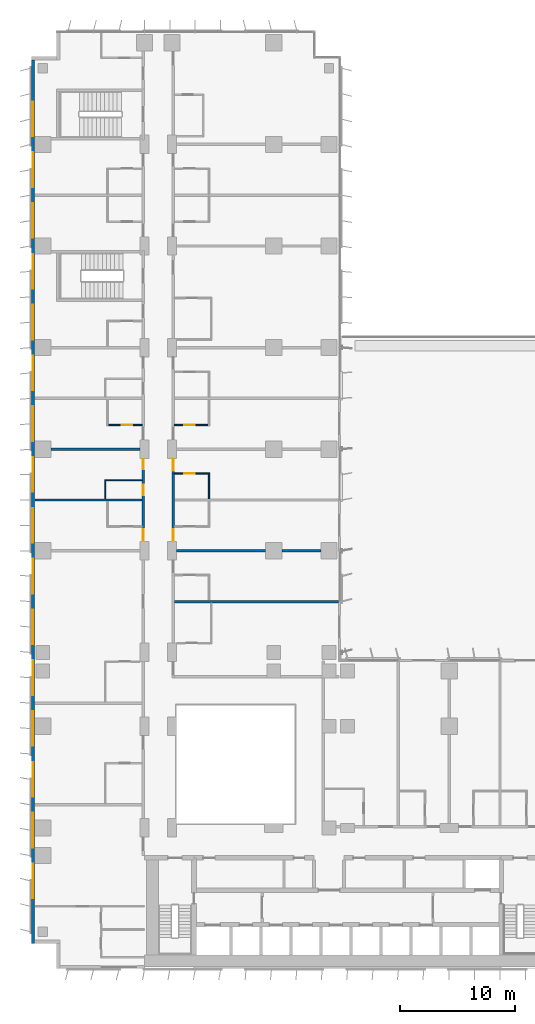
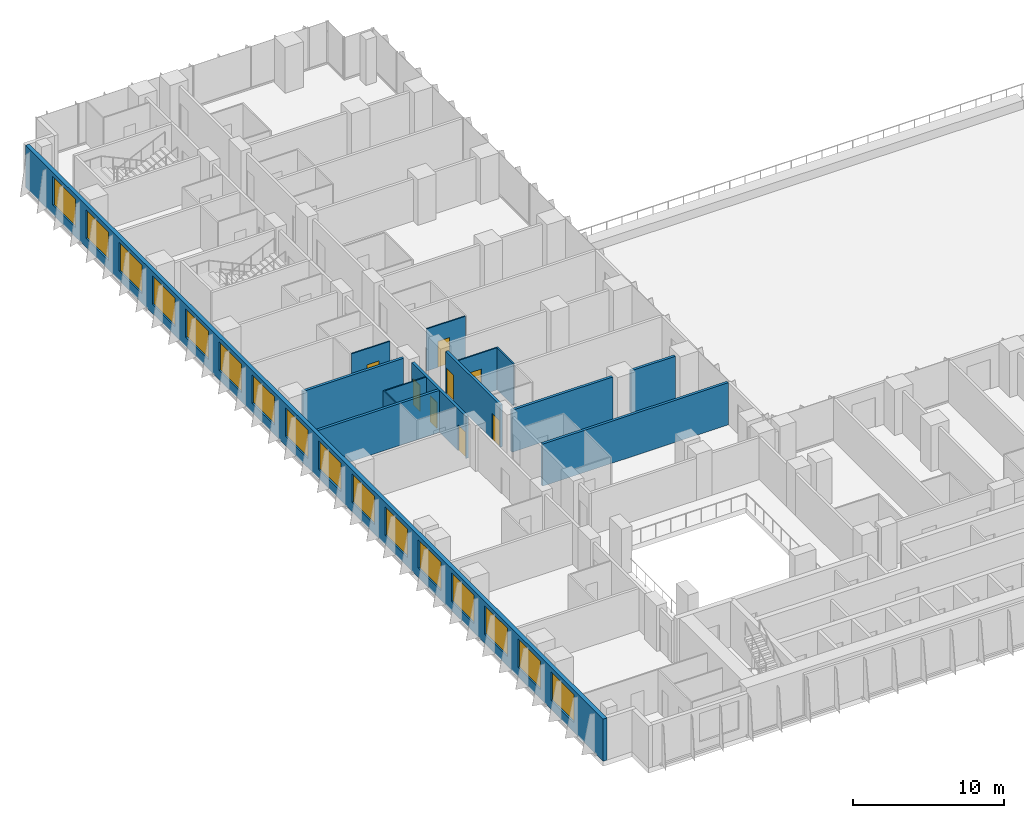
# One storey, part 14 of 23: 16 windows, 14 walls, 8 doors, 24 openings.
"""IFC4 building model written with IfcOpenShell, lengths in metres."""

from ifc_helpers import new_model, si_unit, direction, frame, frame_2d, origin, place, context, subcontext, project, spatial, rectangle, extrude, material, layer, layer_set, type_object, element, fill, save


model = new_model("IFC4")

# Units and contexts
model_context = context("Model", 3, precision=1e-05, world=origin(), true_north=direction((0.0, 1.0)))
body_context = subcontext(model_context, "Body", "Model", "MODEL_VIEW")
ifc_project = project(units=[si_unit("LENGTHUNIT", "METRE"), si_unit("AREAUNIT", "SQUARE_METRE"), si_unit("VOLUMEUNIT", "CUBIC_METRE"), si_unit("PLANEANGLEUNIT", "RADIAN"), si_unit("MASSUNIT", "GRAM", prefix="KILO")], contexts=[model_context])

# Site, building, storey
site_placement = place(None, origin())
site = spatial("IfcSite", under=ifc_project, at=site_placement, CompositionType="ELEMENT")
building_placement = place(site_placement, origin())
building = spatial("IfcBuilding", under=site, at=building_placement, Name="Kemantara Hotel Tower", CompositionType="ELEMENT")
storey_placement = place(building_placement, frame((0.0, 0.0, 34.0)))
storey = spatial("IfcBuildingStorey", under=building, at=storey_placement, Name="L06", CompositionType="ELEMENT", Elevation=34.0)

# Wall, openings, windows
ifc_material_1 = material(Name="Bronze anodised aluminium cladding on insulated steel stud wall", Category="steel")
ifc_layer_1 = layer(ifc_material_1, 0.300048828125)
ifc_layer_set_1 = layer_set([ifc_layer_1], Name="Bronze anodised aluminium cladding on insulated steel stud wall")
wall_type_1 = type_object("IfcWallType", Name="BRONZE METAL-CLAD EXTERNAL WALL 300", PredefinedType="STANDARD", material=ifc_layer_set_1)
wall_1_placement = place(storey_placement, frame((0.14990234375, 78.699951171875, 0.0), z_axis=(0.0, 0.0, 1.0), x_axis=(0.0, -1.0, 0.0)))
wall_1 = element("IfcWall", 1, at=wall_1_placement, inside=storey, type_object=wall_type_1, Name="EXTERNAL WALL L06 T1-R14", PredefinedType="STANDARD", context=body_context, shape_type="SweptSolid", body=[
    extrude(rectangle(XDim=76.5, YDim=0.300048828125, at=frame_2d((38.25, 0.0))), origin(), (0.0, 0.0, 1.0), 3.39990234375),
])
opening_1_placement = place(wall_1_placement, frame((3.60009765625, 0.0, 0.75)))
opening_1 = element("IfcOpeningElement", 2, at=opening_1_placement, cuts=wall_1, Name="Opening W1", PredefinedType="OPENING", context=body_context, shape_type="SweptSolid", body=[
    extrude(rectangle(XDim=3.0, YDim=2.300048828125, at=frame_2d((1.5, 1.14990234375))), frame((0.0, 0.159912109375, 0.0), z_axis=(0.0, -1.0, 0.0), x_axis=(1.0, 0.0, 0.0)), (0.0, 0.0, 1.0), 0.320068359375),
])
opening_2_placement = place(wall_1_placement, frame((8.0, 0.0, 0.75)))
opening_2 = element("IfcOpeningElement", 3, at=opening_2_placement, cuts=wall_1, Name="Opening W1", PredefinedType="OPENING", context=body_context, shape_type="SweptSolid", body=[
    extrude(rectangle(XDim=3.0, YDim=2.300048828125, at=frame_2d((1.5, 1.14990234375))), frame((0.0, 0.159912109375, 0.0), z_axis=(0.0, -1.0, 0.0), x_axis=(1.0, 0.0, 0.0)), (0.0, 0.0, 1.0), 0.320068359375),
])
opening_3_placement = place(wall_1_placement, frame((12.39990234375, 0.0, 0.75)))
opening_3 = element("IfcOpeningElement", 4, at=opening_3_placement, cuts=wall_1, Name="Opening W1", PredefinedType="OPENING", context=body_context, shape_type="SweptSolid", body=[
    extrude(rectangle(XDim=3.0, YDim=2.300048828125, at=frame_2d((1.5, 1.14990234375))), frame((0.0, 0.159912109375, 0.0), z_axis=(0.0, -1.0, 0.0), x_axis=(1.0, 0.0, 0.0)), (0.0, 0.0, 1.0), 0.320068359375),
])
opening_4_placement = place(wall_1_placement, frame((16.800048828125, 0.0, 0.75)))
opening_4 = element("IfcOpeningElement", 5, at=opening_4_placement, cuts=wall_1, Name="Opening W1", PredefinedType="OPENING", context=body_context, shape_type="SweptSolid", body=[
    extrude(rectangle(XDim=3.0, YDim=2.300048828125, at=frame_2d((1.5, 1.14990234375))), frame((0.0, 0.159912109375, 0.0), z_axis=(0.0, -1.0, 0.0), x_axis=(1.0, 0.0, 0.0)), (0.0, 0.0, 1.0), 0.320068359375),
])
opening_5_placement = place(wall_1_placement, frame((21.199951171875, 0.0, 0.75)))
opening_5 = element("IfcOpeningElement", 6, at=opening_5_placement, cuts=wall_1, Name="Opening W1", PredefinedType="OPENING", context=body_context, shape_type="SweptSolid", body=[
    extrude(rectangle(XDim=3.0, YDim=2.300048828125, at=frame_2d((1.5, 1.14990234375))), frame((0.0, 0.159912109375, 0.0), z_axis=(0.0, -1.0, 0.0), x_axis=(1.0, 0.0, 0.0)), (0.0, 0.0, 1.0), 0.320068359375),
])
opening_6_placement = place(wall_1_placement, frame((25.60009765625, 0.0, 0.75)))
opening_6 = element("IfcOpeningElement", 7, at=opening_6_placement, cuts=wall_1, Name="Opening W1", PredefinedType="OPENING", context=body_context, shape_type="SweptSolid", body=[
    extrude(rectangle(XDim=3.0, YDim=2.300048828125, at=frame_2d((1.5, 1.14990234375))), frame((0.0, 0.159912109375, 0.0), z_axis=(0.0, -1.0, 0.0), x_axis=(1.0, 0.0, 0.0)), (0.0, 0.0, 1.0), 0.320068359375),
])
opening_7_placement = place(wall_1_placement, frame((30.0, 0.0, 0.75)))
opening_7 = element("IfcOpeningElement", 8, at=opening_7_placement, cuts=wall_1, Name="Opening W1", PredefinedType="OPENING", context=body_context, shape_type="SweptSolid", body=[
    extrude(rectangle(XDim=3.0, YDim=2.300048828125, at=frame_2d((1.5, 1.14990234375))), frame((0.0, 0.159912109375, 0.0), z_axis=(0.0, -1.0, 0.0), x_axis=(1.0, 0.0, 0.0)), (0.0, 0.0, 1.0), 0.320068359375),
])
opening_8_placement = place(wall_1_placement, frame((34.39990234375, 0.0, 0.75)))
opening_8 = element("IfcOpeningElement", 9, at=opening_8_placement, cuts=wall_1, Name="Opening W1", PredefinedType="OPENING", context=body_context, shape_type="SweptSolid", body=[
    extrude(rectangle(XDim=3.0, YDim=2.300048828125, at=frame_2d((1.5, 1.14990234375))), frame((0.0, 0.159912109375, 0.0), z_axis=(0.0, -1.0, 0.0), x_axis=(1.0, 0.0, 0.0)), (0.0, 0.0, 1.0), 0.320068359375),
])
opening_9_placement = place(wall_1_placement, frame((38.800048828125, 0.0, 0.75)))
opening_9 = element("IfcOpeningElement", 10, at=opening_9_placement, cuts=wall_1, Name="Opening W1", PredefinedType="OPENING", context=body_context, shape_type="SweptSolid", body=[
    extrude(rectangle(XDim=3.0, YDim=2.300048828125, at=frame_2d((1.5, 1.14990234375))), frame((0.0, 0.159912109375, 0.0), z_axis=(0.0, -1.0, 0.0), x_axis=(1.0, 0.0, 0.0)), (0.0, 0.0, 1.0), 0.320068359375),
])
opening_10_placement = place(wall_1_placement, frame((43.199951171875, 0.0, 0.75)))
opening_10 = element("IfcOpeningElement", 11, at=opening_10_placement, cuts=wall_1, Name="Opening W1", PredefinedType="OPENING", context=body_context, shape_type="SweptSolid", body=[
    extrude(rectangle(XDim=3.0, YDim=2.300048828125, at=frame_2d((1.5, 1.14990234375))), frame((0.0, 0.159912109375, 0.0), z_axis=(0.0, -1.0, 0.0), x_axis=(1.0, 0.0, 0.0)), (0.0, 0.0, 1.0), 0.320068359375),
])
opening_11_placement = place(wall_1_placement, frame((47.60009765625, 0.0, 0.75)))
opening_11 = element("IfcOpeningElement", 12, at=opening_11_placement, cuts=wall_1, Name="Opening W1", PredefinedType="OPENING", context=body_context, shape_type="SweptSolid", body=[
    extrude(rectangle(XDim=3.0, YDim=2.300048828125, at=frame_2d((1.5, 1.14990234375))), frame((0.0, 0.159912109375, 0.0), z_axis=(0.0, -1.0, 0.0), x_axis=(1.0, 0.0, 0.0)), (0.0, 0.0, 1.0), 0.320068359375),
])
opening_12_placement = place(wall_1_placement, frame((52.0, 0.0, 0.75)))
opening_12 = element("IfcOpeningElement", 13, at=opening_12_placement, cuts=wall_1, Name="Opening W1", PredefinedType="OPENING", context=body_context, shape_type="SweptSolid", body=[
    extrude(rectangle(XDim=3.0, YDim=2.300048828125, at=frame_2d((1.5, 1.14990234375))), frame((0.0, 0.159912109375, 0.0), z_axis=(0.0, -1.0, 0.0), x_axis=(1.0, 0.0, 0.0)), (0.0, 0.0, 1.0), 0.320068359375),
])
opening_13_placement = place(wall_1_placement, frame((56.39990234375, 0.0, 0.75)))
opening_13 = element("IfcOpeningElement", 14, at=opening_13_placement, cuts=wall_1, Name="Opening W1", PredefinedType="OPENING", context=body_context, shape_type="SweptSolid", body=[
    extrude(rectangle(XDim=3.0, YDim=2.300048828125, at=frame_2d((1.5, 1.14990234375))), frame((0.0, 0.159912109375, 0.0), z_axis=(0.0, -1.0, 0.0), x_axis=(1.0, 0.0, 0.0)), (0.0, 0.0, 1.0), 0.320068359375),
])
opening_14_placement = place(wall_1_placement, frame((60.800048828125, 0.0, 0.75)))
opening_14 = element("IfcOpeningElement", 15, at=opening_14_placement, cuts=wall_1, Name="Opening W1", PredefinedType="OPENING", context=body_context, shape_type="SweptSolid", body=[
    extrude(rectangle(XDim=3.0, YDim=2.300048828125, at=frame_2d((1.5, 1.14990234375))), frame((0.0, 0.159912109375, 0.0), z_axis=(0.0, -1.0, 0.0), x_axis=(1.0, 0.0, 0.0)), (0.0, 0.0, 1.0), 0.320068359375),
])
opening_15_placement = place(wall_1_placement, frame((65.199951171875, 0.0, 0.75)))
opening_15 = element("IfcOpeningElement", 16, at=opening_15_placement, cuts=wall_1, Name="Opening W1", PredefinedType="OPENING", context=body_context, shape_type="SweptSolid", body=[
    extrude(rectangle(XDim=3.0, YDim=2.300048828125, at=frame_2d((1.5, 1.14990234375))), frame((0.0, 0.159912109375, 0.0), z_axis=(0.0, -1.0, 0.0), x_axis=(1.0, 0.0, 0.0)), (0.0, 0.0, 1.0), 0.320068359375),
])
opening_16_placement = place(wall_1_placement, frame((69.60009765625, 0.0, 0.75)))
opening_16 = element("IfcOpeningElement", 17, at=opening_16_placement, cuts=wall_1, Name="Opening W1", PredefinedType="OPENING", context=body_context, shape_type="SweptSolid", body=[
    extrude(rectangle(XDim=3.0, YDim=2.300048828125, at=frame_2d((1.5, 1.14990234375))), frame((0.0, 0.159912109375, 0.0), z_axis=(0.0, -1.0, 0.0), x_axis=(1.0, 0.0, 0.0)), (0.0, 0.0, 1.0), 0.320068359375),
])
ifc_material_2 = material(Name="Low-E tinted double insulated glass in bronze anodised aluminium frame", Category="aluminium")
window_type = type_object("IfcWindowType", Name="CHICAGO WINDOW, TRIPLE PANEL 3000x2300", PartitioningType="TRIPLE_PANEL_VERTICAL", PredefinedType="WINDOW", material=ifc_material_2)
window_1_placement = place(opening_1_placement, origin())
window_1 = element("IfcWindow", 18, at=window_1_placement, inside=storey, type_object=window_type, Name="CHICAGO WINDOW L06 T1-R14-54", OverallHeight=2.300048828125, OverallWidth=3.0, PartitioningType="SINGLE_PANEL", PredefinedType="WINDOW", context=body_context, shape_type="SweptSolid", body=[
    extrude(rectangle(XDim=3.0, YDim=2.300048828125, at=frame_2d((1.5, 1.14990234375))), frame((0.0, 0.030029296875, 0.0), z_axis=(0.0, -1.0, 0.0), x_axis=(1.0, 0.0, 0.0)), (0.0, 0.0, 1.0), 0.06005859375),
])
fill(opening_1, window_1)
window_2_placement = place(opening_2_placement, origin())
window_2 = element("IfcWindow", 19, at=window_2_placement, inside=storey, type_object=window_type, Name="CHICAGO WINDOW L06 T1-R14-98", OverallHeight=2.300048828125, OverallWidth=3.0, PartitioningType="SINGLE_PANEL", PredefinedType="WINDOW", context=body_context, shape_type="SweptSolid", body=[
    extrude(rectangle(XDim=3.0, YDim=2.300048828125, at=frame_2d((1.5, 1.14990234375))), frame((0.0, 0.030029296875, 0.0), z_axis=(0.0, -1.0, 0.0), x_axis=(1.0, 0.0, 0.0)), (0.0, 0.0, 1.0), 0.06005859375),
])
fill(opening_2, window_2)
window_3_placement = place(opening_3_placement, origin())
window_3 = element("IfcWindow", 20, at=window_3_placement, inside=storey, type_object=window_type, Name="CHICAGO WINDOW L06 T1-R14-142", OverallHeight=2.300048828125, OverallWidth=3.0, PartitioningType="SINGLE_PANEL", PredefinedType="WINDOW", context=body_context, shape_type="SweptSolid", body=[
    extrude(rectangle(XDim=3.0, YDim=2.300048828125, at=frame_2d((1.5, 1.14990234375))), frame((0.0, 0.030029296875, 0.0), z_axis=(0.0, -1.0, 0.0), x_axis=(1.0, 0.0, 0.0)), (0.0, 0.0, 1.0), 0.06005859375),
])
fill(opening_3, window_3)
window_4_placement = place(opening_4_placement, origin())
window_4 = element("IfcWindow", 21, at=window_4_placement, inside=storey, type_object=window_type, Name="CHICAGO WINDOW L06 T1-R14-186", OverallHeight=2.300048828125, OverallWidth=3.0, PartitioningType="SINGLE_PANEL", PredefinedType="WINDOW", context=body_context, shape_type="SweptSolid", body=[
    extrude(rectangle(XDim=3.0, YDim=2.300048828125, at=frame_2d((1.5, 1.14990234375))), frame((0.0, 0.030029296875, 0.0), z_axis=(0.0, -1.0, 0.0), x_axis=(1.0, 0.0, 0.0)), (0.0, 0.0, 1.0), 0.06005859375),
])
fill(opening_4, window_4)
window_5_placement = place(opening_5_placement, origin())
window_5 = element("IfcWindow", 22, at=window_5_placement, inside=storey, type_object=window_type, Name="CHICAGO WINDOW L06 T1-R14-230", OverallHeight=2.300048828125, OverallWidth=3.0, PartitioningType="SINGLE_PANEL", PredefinedType="WINDOW", context=body_context, shape_type="SweptSolid", body=[
    extrude(rectangle(XDim=3.0, YDim=2.300048828125, at=frame_2d((1.5, 1.14990234375))), frame((0.0, 0.030029296875, 0.0), z_axis=(0.0, -1.0, 0.0), x_axis=(1.0, 0.0, 0.0)), (0.0, 0.0, 1.0), 0.06005859375),
])
fill(opening_5, window_5)
window_6_placement = place(opening_6_placement, origin())
window_6 = element("IfcWindow", 23, at=window_6_placement, inside=storey, type_object=window_type, Name="CHICAGO WINDOW L06 T1-R14-274", OverallHeight=2.300048828125, OverallWidth=3.0, PartitioningType="SINGLE_PANEL", PredefinedType="WINDOW", context=body_context, shape_type="SweptSolid", body=[
    extrude(rectangle(XDim=3.0, YDim=2.300048828125, at=frame_2d((1.5, 1.14990234375))), frame((0.0, 0.030029296875, 0.0), z_axis=(0.0, -1.0, 0.0), x_axis=(1.0, 0.0, 0.0)), (0.0, 0.0, 1.0), 0.06005859375),
])
fill(opening_6, window_6)
window_7_placement = place(opening_7_placement, origin())
window_7 = element("IfcWindow", 24, at=window_7_placement, inside=storey, type_object=window_type, Name="CHICAGO WINDOW L06 T1-R14-318", OverallHeight=2.300048828125, OverallWidth=3.0, PartitioningType="SINGLE_PANEL", PredefinedType="WINDOW", context=body_context, shape_type="SweptSolid", body=[
    extrude(rectangle(XDim=3.0, YDim=2.300048828125, at=frame_2d((1.5, 1.14990234375))), frame((0.0, 0.030029296875, 0.0), z_axis=(0.0, -1.0, 0.0), x_axis=(1.0, 0.0, 0.0)), (0.0, 0.0, 1.0), 0.06005859375),
])
fill(opening_7, window_7)
window_8_placement = place(opening_8_placement, origin())
window_8 = element("IfcWindow", 25, at=window_8_placement, inside=storey, type_object=window_type, Name="CHICAGO WINDOW L06 T1-R14-362", OverallHeight=2.300048828125, OverallWidth=3.0, PartitioningType="SINGLE_PANEL", PredefinedType="WINDOW", context=body_context, shape_type="SweptSolid", body=[
    extrude(rectangle(XDim=3.0, YDim=2.300048828125, at=frame_2d((1.5, 1.14990234375))), frame((0.0, 0.030029296875, 0.0), z_axis=(0.0, -1.0, 0.0), x_axis=(1.0, 0.0, 0.0)), (0.0, 0.0, 1.0), 0.06005859375),
])
fill(opening_8, window_8)
window_9_placement = place(opening_9_placement, origin())
window_9 = element("IfcWindow", 26, at=window_9_placement, inside=storey, type_object=window_type, Name="CHICAGO WINDOW L06 T1-R14-406", OverallHeight=2.300048828125, OverallWidth=3.0, PartitioningType="SINGLE_PANEL", PredefinedType="WINDOW", context=body_context, shape_type="SweptSolid", body=[
    extrude(rectangle(XDim=3.0, YDim=2.300048828125, at=frame_2d((1.5, 1.14990234375))), frame((0.0, 0.030029296875, 0.0), z_axis=(0.0, -1.0, 0.0), x_axis=(1.0, 0.0, 0.0)), (0.0, 0.0, 1.0), 0.06005859375),
])
fill(opening_9, window_9)
window_10_placement = place(opening_10_placement, origin())
window_10 = element("IfcWindow", 27, at=window_10_placement, inside=storey, type_object=window_type, Name="CHICAGO WINDOW L06 T1-R14-450", OverallHeight=2.300048828125, OverallWidth=3.0, PartitioningType="SINGLE_PANEL", PredefinedType="WINDOW", context=body_context, shape_type="SweptSolid", body=[
    extrude(rectangle(XDim=3.0, YDim=2.300048828125, at=frame_2d((1.5, 1.14990234375))), frame((0.0, 0.030029296875, 0.0), z_axis=(0.0, -1.0, 0.0), x_axis=(1.0, 0.0, 0.0)), (0.0, 0.0, 1.0), 0.06005859375),
])
fill(opening_10, window_10)
window_11_placement = place(opening_11_placement, origin())
window_11 = element("IfcWindow", 28, at=window_11_placement, inside=storey, type_object=window_type, Name="CHICAGO WINDOW L06 T1-R14-494", OverallHeight=2.300048828125, OverallWidth=3.0, PartitioningType="SINGLE_PANEL", PredefinedType="WINDOW", context=body_context, shape_type="SweptSolid", body=[
    extrude(rectangle(XDim=3.0, YDim=2.300048828125, at=frame_2d((1.5, 1.14990234375))), frame((0.0, 0.030029296875, 0.0), z_axis=(0.0, -1.0, 0.0), x_axis=(1.0, 0.0, 0.0)), (0.0, 0.0, 1.0), 0.06005859375),
])
fill(opening_11, window_11)
window_12_placement = place(opening_12_placement, origin())
window_12 = element("IfcWindow", 29, at=window_12_placement, inside=storey, type_object=window_type, Name="CHICAGO WINDOW L06 T1-R14-538", OverallHeight=2.300048828125, OverallWidth=3.0, PartitioningType="SINGLE_PANEL", PredefinedType="WINDOW", context=body_context, shape_type="SweptSolid", body=[
    extrude(rectangle(XDim=3.0, YDim=2.300048828125, at=frame_2d((1.5, 1.14990234375))), frame((0.0, 0.030029296875, 0.0), z_axis=(0.0, -1.0, 0.0), x_axis=(1.0, 0.0, 0.0)), (0.0, 0.0, 1.0), 0.06005859375),
])
fill(opening_12, window_12)
window_13_placement = place(opening_13_placement, origin())
window_13 = element("IfcWindow", 30, at=window_13_placement, inside=storey, type_object=window_type, Name="CHICAGO WINDOW L06 T1-R14-582", OverallHeight=2.300048828125, OverallWidth=3.0, PartitioningType="SINGLE_PANEL", PredefinedType="WINDOW", context=body_context, shape_type="SweptSolid", body=[
    extrude(rectangle(XDim=3.0, YDim=2.300048828125, at=frame_2d((1.5, 1.14990234375))), frame((0.0, 0.030029296875, 0.0), z_axis=(0.0, -1.0, 0.0), x_axis=(1.0, 0.0, 0.0)), (0.0, 0.0, 1.0), 0.06005859375),
])
fill(opening_13, window_13)
window_14_placement = place(opening_14_placement, origin())
window_14 = element("IfcWindow", 31, at=window_14_placement, inside=storey, type_object=window_type, Name="CHICAGO WINDOW L06 T1-R14-626", OverallHeight=2.300048828125, OverallWidth=3.0, PartitioningType="SINGLE_PANEL", PredefinedType="WINDOW", context=body_context, shape_type="SweptSolid", body=[
    extrude(rectangle(XDim=3.0, YDim=2.300048828125, at=frame_2d((1.5, 1.14990234375))), frame((0.0, 0.030029296875, 0.0), z_axis=(0.0, -1.0, 0.0), x_axis=(1.0, 0.0, 0.0)), (0.0, 0.0, 1.0), 0.06005859375),
])
fill(opening_14, window_14)
window_15_placement = place(opening_15_placement, origin())
window_15 = element("IfcWindow", 32, at=window_15_placement, inside=storey, type_object=window_type, Name="CHICAGO WINDOW L06 T1-R14-670", OverallHeight=2.300048828125, OverallWidth=3.0, PartitioningType="SINGLE_PANEL", PredefinedType="WINDOW", context=body_context, shape_type="SweptSolid", body=[
    extrude(rectangle(XDim=3.0, YDim=2.300048828125, at=frame_2d((1.5, 1.14990234375))), frame((0.0, 0.030029296875, 0.0), z_axis=(0.0, -1.0, 0.0), x_axis=(1.0, 0.0, 0.0)), (0.0, 0.0, 1.0), 0.06005859375),
])
fill(opening_15, window_15)
window_16_placement = place(opening_16_placement, origin())
window_16 = element("IfcWindow", 33, at=window_16_placement, inside=storey, type_object=window_type, Name="CHICAGO WINDOW L06 T1-R14-714", OverallHeight=2.300048828125, OverallWidth=3.0, PartitioningType="SINGLE_PANEL", PredefinedType="WINDOW", context=body_context, shape_type="SweptSolid", body=[
    extrude(rectangle(XDim=3.0, YDim=2.300048828125, at=frame_2d((1.5, 1.14990234375))), frame((0.0, 0.030029296875, 0.0), z_axis=(0.0, -1.0, 0.0), x_axis=(1.0, 0.0, 0.0)), (0.0, 0.0, 1.0), 0.06005859375),
])
fill(opening_16, window_16)

# Wall, openings, doors
ifc_material_3 = material(Name="Gypsum board partition, steel studs and mineral wool, 200 mm", Category="steel")
ifc_layer_2 = layer(ifc_material_3, 0.199951171875)
ifc_layer_set_2 = layer_set([ifc_layer_2], Name="Gypsum board partition, steel studs and mineral wool, 200 mm")
wall_type_2 = type_object("IfcWallType", Name="CORRIDOR WALL 200", PredefinedType="PARTITIONING", material=ifc_layer_set_2)
wall_2_placement = place(storey_placement, frame((9.699951171875, 37.0, 0.0), z_axis=(0.0, 0.0, 1.0), x_axis=(0.0, 1.0, 0.0)))
wall_2 = element("IfcWall", 34, at=wall_2_placement, inside=storey, type_object=wall_type_2, Name="CORRIDOR WALL 200 034", PredefinedType="PARTITIONING", context=body_context, shape_type="SweptSolid", body=[
    extrude(rectangle(XDim=7.199951171875, YDim=0.199951171875, at=frame_2d((3.60009765625, 0.0))), origin(), (0.0, 0.0, 1.0), 3.39990234375),
])
opening_17_placement = place(wall_2_placement, frame((0.0498046875, 0.0, 0.0)))
opening_17 = element("IfcOpeningElement", 35, at=opening_17_placement, cuts=wall_2, Name="Opening F01-041", PredefinedType="OPENING", context=body_context, shape_type="SweptSolid", body=[
    extrude(rectangle(XDim=1.0, YDim=2.10009765625, at=frame_2d((0.5, 1.050048828125))), frame((0.0, 0.10986328125, 0.0), z_axis=(0.0, -1.0, 0.0), x_axis=(1.0, 0.0, 0.0)), (0.0, 0.0, 1.0), 0.219970703125),
])
opening_18_placement = place(wall_2_placement, frame((6.25, 0.0, 0.0)))
opening_18 = element("IfcOpeningElement", 36, at=opening_18_placement, cuts=wall_2, Name="Opening F01-043", PredefinedType="OPENING", context=body_context, shape_type="SweptSolid", body=[
    extrude(rectangle(XDim=0.89990234375, YDim=2.10009765625, at=frame_2d((0.449951171875, 1.050048828125))), frame((0.0, 0.10986328125, 0.0), z_axis=(0.0, -1.0, 0.0), x_axis=(1.0, 0.0, 0.0)), (0.0, 0.0, 1.0), 0.219970703125),
])
opening_19_placement = place(wall_2_placement, frame((4.0, 0.0, 0.0)))
opening_19 = element("IfcOpeningElement", 37, at=opening_19_placement, cuts=wall_2, Name="Opening F01-044", PredefinedType="OPENING", context=body_context, shape_type="SweptSolid", body=[
    extrude(rectangle(XDim=0.89990234375, YDim=2.10009765625, at=frame_2d((0.449951171875, 1.050048828125))), frame((0.0, 0.10986328125, 0.0), z_axis=(0.0, -1.0, 0.0), x_axis=(1.0, 0.0, 0.0)), (0.0, 0.0, 1.0), 0.219970703125),
])
ifc_material_4 = material(Name="Hardwood veneer door leaf with steel frame", Category="steel")
door_type_1 = type_object("IfcDoorType", Name="GUEST ROOM DOOR 1000 X 2100 FD30S", OperationType="NOTDEFINED", PredefinedType="DOOR", material=ifc_material_4)
door_1_placement = place(opening_17_placement, origin())
door_1 = element("IfcDoor", 38, at=door_1_placement, inside=storey, type_object=door_type_1, Name="GUEST ROOM DOOR F01-041", OperationType="SINGLE_SWING_LEFT", OverallHeight=2.10009765625, OverallWidth=1.0, PredefinedType="DOOR", context=body_context, shape_type="SweptSolid", body=[
    extrude(rectangle(XDim=1.0, YDim=2.10009765625, at=frame_2d((0.5, 1.050048828125))), frame((0.0, 0.02490234375, 0.0), z_axis=(0.0, -1.0, 0.0), x_axis=(1.0, 0.0, 0.0)), (0.0, 0.0, 1.0), 0.050048828125),
])
fill(opening_17, door_1)
ifc_material_5 = material(Name="Steel door leaf with steel frame", Category="steel")
door_type_2 = type_object("IfcDoorType", Name="SERVICE ROOM DOOR 900 X 2100 FD60", OperationType="NOTDEFINED", PredefinedType="DOOR", material=ifc_material_5)
door_2_placement = place(opening_18_placement, origin())
door_2 = element("IfcDoor", 39, at=door_2_placement, inside=storey, type_object=door_type_2, Name="SERVICE ROOM DOOR F01-043", OperationType="SINGLE_SWING_RIGHT", OverallHeight=2.10009765625, OverallWidth=0.89990234375, PredefinedType="DOOR", context=body_context, shape_type="SweptSolid", body=[
    extrude(rectangle(XDim=0.89990234375, YDim=2.10009765625, at=frame_2d((0.449951171875, 1.050048828125))), frame((0.0, 0.02490234375, 0.0), z_axis=(0.0, -1.0, 0.0), x_axis=(1.0, 0.0, 0.0)), (0.0, 0.0, 1.0), 0.050048828125),
])
fill(opening_18, door_2)
door_3_placement = place(opening_19_placement, origin())
door_3 = element("IfcDoor", 40, at=door_3_placement, inside=storey, type_object=door_type_2, Name="SERVICE ROOM DOOR F01-044", OperationType="SINGLE_SWING_LEFT", OverallHeight=2.10009765625, OverallWidth=0.89990234375, PredefinedType="DOOR", context=body_context, shape_type="SweptSolid", body=[
    extrude(rectangle(XDim=0.89990234375, YDim=2.10009765625, at=frame_2d((0.449951171875, 1.050048828125))), frame((0.0, 0.02490234375, 0.0), z_axis=(0.0, -1.0, 0.0), x_axis=(1.0, 0.0, 0.0)), (0.0, 0.0, 1.0), 0.050048828125),
])
fill(opening_19, door_3)

wall_3_placement = place(storey_placement, frame((12.300048828125, 44.199951171875, 0.0), z_axis=(0.0, 0.0, 1.0), x_axis=(0.0, -1.0, 0.0)))
wall_3 = element("IfcWall", 41, at=wall_3_placement, inside=storey, type_object=wall_type_2, Name="CORRIDOR WALL 200 058", PredefinedType="PARTITIONING", context=body_context, shape_type="SweptSolid", body=[
    extrude(rectangle(XDim=7.199951171875, YDim=0.199951171875, at=frame_2d((3.60009765625, 0.0))), origin(), (0.0, 0.0, 1.0), 3.39990234375),
])
opening_20_placement = place(wall_3_placement, frame((6.14990234375, 0.0, 0.0)))
opening_20 = element("IfcOpeningElement", 42, at=opening_20_placement, cuts=wall_3, Name="Opening F01-061", PredefinedType="OPENING", context=body_context, shape_type="SweptSolid", body=[
    extrude(rectangle(XDim=1.0, YDim=2.10009765625, at=frame_2d((0.5, 1.050048828125))), frame((0.0, 0.10986328125, 0.0), z_axis=(0.0, -1.0, 0.0), x_axis=(1.0, 0.0, 0.0)), (0.0, 0.0, 1.0), 0.219970703125),
])
opening_21_placement = place(wall_3_placement, frame((0.0498046875, 0.0, 0.0)))
opening_21 = element("IfcOpeningElement", 43, at=opening_21_placement, cuts=wall_3, Name="Opening F01-063", PredefinedType="OPENING", context=body_context, shape_type="SweptSolid", body=[
    extrude(rectangle(XDim=1.0, YDim=2.10009765625, at=frame_2d((0.5, 1.050048828125))), frame((0.0, 0.10986328125, 0.0), z_axis=(0.0, -1.0, 0.0), x_axis=(1.0, 0.0, 0.0)), (0.0, 0.0, 1.0), 0.219970703125),
])
door_4_placement = place(opening_20_placement, origin())
door_4 = element("IfcDoor", 44, at=door_4_placement, inside=storey, type_object=door_type_1, Name="GUEST ROOM DOOR F01-061", OperationType="SINGLE_SWING_RIGHT", OverallHeight=2.10009765625, OverallWidth=1.0, PredefinedType="DOOR", context=body_context, shape_type="SweptSolid", body=[
    extrude(rectangle(XDim=1.0, YDim=2.10009765625, at=frame_2d((0.5, 1.050048828125))), frame((0.0, 0.02490234375, 0.0), z_axis=(0.0, -1.0, 0.0), x_axis=(1.0, 0.0, 0.0)), (0.0, 0.0, 1.0), 0.050048828125),
])
fill(opening_20, door_4)
door_5_placement = place(opening_21_placement, origin())
door_5 = element("IfcDoor", 45, at=door_5_placement, inside=storey, type_object=door_type_1, Name="GUEST ROOM DOOR F01-063", OperationType="SINGLE_SWING_LEFT", OverallHeight=2.10009765625, OverallWidth=1.0, PredefinedType="DOOR", context=body_context, shape_type="SweptSolid", body=[
    extrude(rectangle(XDim=1.0, YDim=2.10009765625, at=frame_2d((0.5, 1.050048828125))), frame((0.0, 0.02490234375, 0.0), z_axis=(0.0, -1.0, 0.0), x_axis=(1.0, 0.0, 0.0)), (0.0, 0.0, 1.0), 0.050048828125),
])
fill(opening_21, door_5)

# Walls
ifc_layer_3 = layer(ifc_material_3, 0.199951171875)
ifc_layer_set_3 = layer_set([ifc_layer_3], Name="Gypsum board partition, steel studs and mineral wool, 200 mm")
wall_type_3 = type_object("IfcWallType", Name="GUEST ROOM PARTY WALL 200", PredefinedType="PARTITIONING", material=ifc_layer_set_3)
wall_4_placement = place(storey_placement, frame((12.60009765625, 36.199951171875, 0.0), z_axis=(0.0, 0.0, 1.0), x_axis=(1.0, 0.0, 0.0)))
element("IfcWall", 46, at=wall_4_placement, inside=storey, type_object=wall_type_3, Name="GUEST ROOM PARTY WALL 200 042", PredefinedType="PARTITIONING", context=body_context, shape_type="SweptSolid", body=[
    extrude(rectangle(XDim=7.69970703125, YDim=0.199951171875, at=frame_2d((3.849853515625, 0.0))), origin(), (0.0, 0.0, 1.0), 3.39990234375),
])
wall_5_placement = place(storey_placement, frame((21.7001953125, 36.199951171875, 0.0), z_axis=(0.0, 0.0, 1.0), x_axis=(1.0, 0.0, 0.0)))
element("IfcWall", 47, at=wall_5_placement, inside=storey, type_object=wall_type_3, Name="GUEST ROOM PARTY WALL 200 043", PredefinedType="PARTITIONING", context=body_context, shape_type="SweptSolid", body=[
    extrude(rectangle(XDim=3.399658203125, YDim=0.199951171875, at=frame_2d((1.69970703125, 0.0))), origin(), (0.0, 0.0, 1.0), 3.39990234375),
])
wall_6_placement = place(storey_placement, frame((0.31005859375, 40.60009765625, 0.0), z_axis=(0.0, 0.0, 1.0), x_axis=(1.0, 0.0, 0.0)))
element("IfcWall", 48, at=wall_6_placement, inside=storey, type_object=wall_type_3, Name="GUEST ROOM PARTY WALL 200 044", PredefinedType="PARTITIONING", context=body_context, shape_type="SweptSolid", body=[
    extrude(rectangle(XDim=9.2900390625, YDim=0.199951171875, at=frame_2d((4.64501953125, 0.0))), origin(), (0.0, 0.0, 1.0), 3.39990234375),
])
wall_7_placement = place(storey_placement, frame((1.7001953125, 45.0, 0.0), z_axis=(0.0, 0.0, 1.0), x_axis=(1.0, 0.0, 0.0)))
element("IfcWall", 49, at=wall_7_placement, inside=storey, type_object=wall_type_3, Name="GUEST ROOM PARTY WALL 200 046", PredefinedType="PARTITIONING", context=body_context, shape_type="SweptSolid", body=[
    extrude(rectangle(XDim=7.69970703125, YDim=0.199951171875, at=frame_2d((3.849853515625, 0.0))), origin(), (0.0, 0.0, 1.0), 3.39990234375),
])
wall_8_placement = place(storey_placement, frame((12.39990234375, 31.800048828125, 0.0), z_axis=(0.0, 0.0, 1.0), x_axis=(1.0, 0.0, 0.0)))
element("IfcWall", 50, at=wall_8_placement, inside=storey, type_object=wall_type_3, Name="GUEST ROOM PARTY WALL 200 066", PredefinedType="PARTITIONING", context=body_context, shape_type="SweptSolid", body=[
    extrude(rectangle(XDim=14.199951171875, YDim=0.199951171875, at=frame_2d((7.10009765625, 0.0))), origin(), (0.0, 0.0, 1.0), 3.39990234375),
])
ifc_material_6 = material(Name="Gypsum board partition on steel studs, 100 mm", Category="steel")
ifc_layer_4 = layer(ifc_material_6, 0.10009765625)
ifc_layer_set_4 = layer_set([ifc_layer_4], Name="Gypsum board partition on steel studs, 100 mm")
wall_type_4 = type_object("IfcWallType", Name="ROOM PARTITION 100", PredefinedType="PARTITIONING", material=ifc_layer_set_4)
wall_9_placement = place(storey_placement, frame((6.39990234375, 40.699951171875, 0.0), z_axis=(0.0, 0.0, 1.0), x_axis=(0.0, 1.0, 0.0)))
element("IfcWall", 51, at=wall_9_placement, inside=storey, type_object=wall_type_4, Name="ROOM PARTITION 100 112", PredefinedType="PARTITIONING", context=body_context, shape_type="SweptSolid", body=[
    extrude(rectangle(XDim=1.650146484375, YDim=0.10009765625, at=frame_2d((0.8251953125, 0.0))), origin(), (0.0, 0.0, 1.0), 3.39990234375),
])
wall_10_placement = place(storey_placement, frame((6.449951171875, 42.300048828125, 0.0), z_axis=(0.0, 0.0, 1.0), x_axis=(1.0, 0.0, 0.0)))
element("IfcWall", 52, at=wall_10_placement, inside=storey, type_object=wall_type_4, Name="ROOM PARTITION 100 123", PredefinedType="PARTITIONING", context=body_context, shape_type="SweptSolid", body=[
    extrude(rectangle(XDim=3.150146484375, YDim=0.10009765625, at=frame_2d((1.5751953125, 0.0))), origin(), (0.0, 0.0, 1.0), 3.39990234375),
])

# Wall, opening, door
wall_11_placement = place(storey_placement, frame((6.64990234375, 47.10009765625, 0.0), z_axis=(0.0, 0.0, 1.0), x_axis=(1.0, 0.0, 0.0)))
wall_11 = element("IfcWall", 53, at=wall_11_placement, inside=storey, type_object=wall_type_4, Name="ROOM PARTITION 100 124", PredefinedType="PARTITIONING", context=body_context, shape_type="SweptSolid", body=[
    extrude(rectangle(XDim=2.9501953125, YDim=0.10009765625, at=frame_2d((1.47509765625, 0.0))), origin(), (0.0, 0.0, 1.0), 3.39990234375),
])
opening_22_placement = place(wall_11_placement, frame((1.199951171875, 0.0, 0.0)))
opening_22 = element("IfcOpeningElement", 54, at=opening_22_placement, cuts=wall_11, Name="Opening F01-046", PredefinedType="OPENING", context=body_context, shape_type="SweptSolid", body=[
    extrude(rectangle(XDim=0.89990234375, YDim=2.10009765625, at=frame_2d((0.449951171875, 1.050048828125))), frame((0.0, 0.06005859375, 0.0), z_axis=(0.0, -1.0, 0.0), x_axis=(1.0, 0.0, 0.0)), (0.0, 0.0, 1.0), 0.1201171875),
])
door_type_3 = type_object("IfcDoorType", Name="BATHROOM DOOR 900 X 2100", OperationType="NOTDEFINED", PredefinedType="DOOR", material=ifc_material_4)
door_6_placement = place(opening_22_placement, origin())
door_6 = element("IfcDoor", 55, at=door_6_placement, inside=storey, type_object=door_type_3, Name="BATHROOM DOOR F01-046", OperationType="SINGLE_SWING_RIGHT", OverallHeight=2.10009765625, OverallWidth=0.89990234375, PredefinedType="DOOR", context=body_context, shape_type="SweptSolid", body=[
    extrude(rectangle(XDim=0.89990234375, YDim=2.10009765625, at=frame_2d((0.449951171875, 1.050048828125))), frame((0.0, 0.02490234375, 0.0), z_axis=(0.0, -1.0, 0.0), x_axis=(1.0, 0.0, 0.0)), (0.0, 0.0, 1.0), 0.050048828125),
])
fill(opening_22, door_6)

wall_12_placement = place(storey_placement, frame((12.39990234375, 47.10009765625, 0.0), z_axis=(0.0, 0.0, 1.0), x_axis=(1.0, 0.0, 0.0)))
wall_12 = element("IfcWall", 56, at=wall_12_placement, inside=storey, type_object=wall_type_4, Name="ROOM PARTITION 100 125", PredefinedType="PARTITIONING", context=body_context, shape_type="SweptSolid", body=[
    extrude(rectangle(XDim=2.9501953125, YDim=0.10009765625, at=frame_2d((1.47509765625, 0.0))), origin(), (0.0, 0.0, 1.0), 3.39990234375),
])
opening_23_placement = place(wall_12_placement, frame((0.85009765625, 0.0, 0.0)))
opening_23 = element("IfcOpeningElement", 57, at=opening_23_placement, cuts=wall_12, Name="Opening F01-066", PredefinedType="OPENING", context=body_context, shape_type="SweptSolid", body=[
    extrude(rectangle(XDim=0.89990234375, YDim=2.10009765625, at=frame_2d((0.449951171875, 1.050048828125))), frame((0.0, 0.06005859375, 0.0), z_axis=(0.0, -1.0, 0.0), x_axis=(1.0, 0.0, 0.0)), (0.0, 0.0, 1.0), 0.1201171875),
])
door_7_placement = place(opening_23_placement, origin())
door_7 = element("IfcDoor", 58, at=door_7_placement, inside=storey, type_object=door_type_3, Name="BATHROOM DOOR F01-066", OperationType="SINGLE_SWING_LEFT", OverallHeight=2.10009765625, OverallWidth=0.89990234375, PredefinedType="DOOR", context=body_context, shape_type="SweptSolid", body=[
    extrude(rectangle(XDim=0.89990234375, YDim=2.10009765625, at=frame_2d((0.449951171875, 1.050048828125))), frame((0.0, 0.02490234375, 0.0), z_axis=(0.0, -1.0, 0.0), x_axis=(1.0, 0.0, 0.0)), (0.0, 0.0, 1.0), 0.050048828125),
])
fill(opening_23, door_7)

# Wall
wall_13_placement = place(storey_placement, frame((15.39990234375, 40.699951171875, 0.0), z_axis=(0.0, 0.0, 1.0), x_axis=(0.0, 1.0, 0.0)))
element("IfcWall", 59, at=wall_13_placement, inside=storey, type_object=wall_type_4, Name="ROOM PARTITION 100 138", PredefinedType="PARTITIONING", context=body_context, shape_type="SweptSolid", body=[
    extrude(rectangle(XDim=2.25, YDim=0.10009765625, at=frame_2d((1.125, 0.0))), origin(), (0.0, 0.0, 1.0), 3.39990234375),
])

# Wall, opening, door
wall_14_placement = place(storey_placement, frame((15.35009765625, 42.89990234375, 0.0), z_axis=(0.0, 0.0, 1.0), x_axis=(-1.0, 0.0, 0.0)))
wall_14 = element("IfcWall", 60, at=wall_14_placement, inside=storey, type_object=wall_type_4, Name="ROOM PARTITION 100 144", PredefinedType="PARTITIONING", context=body_context, shape_type="SweptSolid", body=[
    extrude(rectangle(XDim=2.9501953125, YDim=0.10009765625, at=frame_2d((1.47509765625, 0.0))), origin(), (0.0, 0.0, 1.0), 3.39990234375),
])
opening_24_placement = place(wall_14_placement, frame((1.199951171875, 0.0, 0.0)))
opening_24 = element("IfcOpeningElement", 61, at=opening_24_placement, cuts=wall_14, Name="Opening F01-064", PredefinedType="OPENING", context=body_context, shape_type="SweptSolid", body=[
    extrude(rectangle(XDim=0.89990234375, YDim=2.10009765625, at=frame_2d((0.449951171875, 1.050048828125))), frame((0.0, 0.06005859375, 0.0), z_axis=(0.0, -1.0, 0.0), x_axis=(1.0, 0.0, 0.0)), (0.0, 0.0, 1.0), 0.1201171875),
])
door_8_placement = place(opening_24_placement, origin())
door_8 = element("IfcDoor", 62, at=door_8_placement, inside=storey, type_object=door_type_3, Name="BATHROOM DOOR F01-064", OperationType="SINGLE_SWING_RIGHT", OverallHeight=2.10009765625, OverallWidth=0.89990234375, PredefinedType="DOOR", context=body_context, shape_type="SweptSolid", body=[
    extrude(rectangle(XDim=0.89990234375, YDim=2.10009765625, at=frame_2d((0.449951171875, 1.050048828125))), frame((0.0, 0.02490234375, 0.0), z_axis=(0.0, -1.0, 0.0), x_axis=(1.0, 0.0, 0.0)), (0.0, 0.0, 1.0), 0.050048828125),
])
fill(opening_24, door_8)

save(model, "model.ifc")
